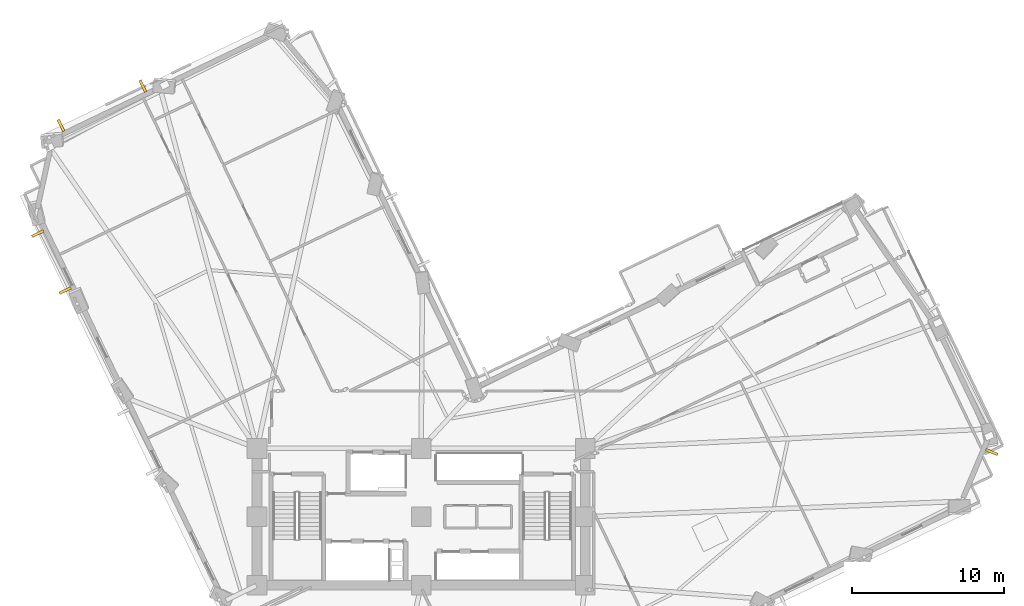
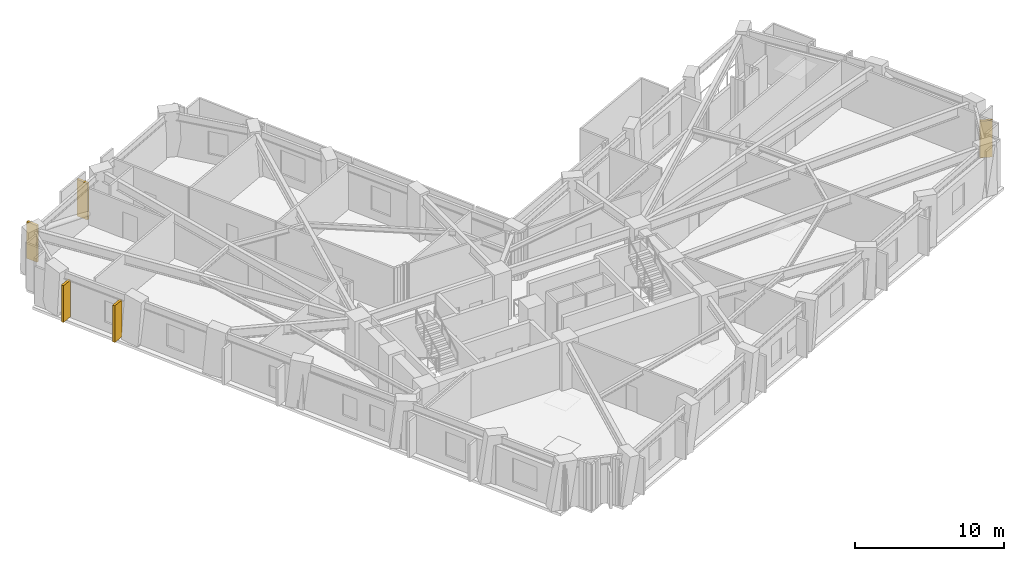
# One storey, part 14 of 16: 5 shading devices.
"""IFC4 building model written with IfcOpenShell, lengths in metres."""

from ifc_helpers import new_model, si_unit, direction, frame, origin, origin_2d, place, context, subcontext, project, spatial, rectangle, extrude, material, type_object, element, save


model = new_model("IFC4")

# Units and contexts
model_context = context("Model", 3, precision=1e-05, world=origin(), true_north=direction((0.0, 1.0)))
body_context = subcontext(model_context, "Body", "Model", "MODEL_VIEW")
ifc_project = project(units=[si_unit("LENGTHUNIT", "METRE"), si_unit("AREAUNIT", "SQUARE_METRE"), si_unit("VOLUMEUNIT", "CUBIC_METRE"), si_unit("PLANEANGLEUNIT", "RADIAN"), si_unit("MASSUNIT", "GRAM", prefix="KILO")], contexts=[model_context])

# Site, building, storey
site_placement = place(None, origin())
site = spatial("IfcSite", under=ifc_project, at=site_placement, CompositionType="ELEMENT")
building_placement = place(site_placement, origin())
building = spatial("IfcBuilding", under=site, at=building_placement, Name="Gaonmaruhae Medical Tower", CompositionType="ELEMENT")
storey_placement = place(building_placement, frame((0.0, 0.0, 132.39990234375)))
storey = spatial("IfcBuildingStorey", under=building, at=storey_placement, Name="L31", CompositionType="ELEMENT", Elevation=132.39990234375)

# Shading devices
ifc_material = material(Name="Pigmented coral precast concrete C45/55", Category="concrete")
shading_device_type = type_object("IfcShadingDeviceType", Name="SD-FIN1 Tower Vertical Coral Precast Shading Fin", PredefinedType="USERDEFINED", material=ifc_material)
for number, where, z_axis, x_axis, name in (
    (1, (62.346435546875, 16.56005859375, 0.08251953125), (0.0, 0.0, 1.0), (-0.38915610534, -0.921171822016, 0.0), "L31 Vertical Coral Precast Shading Fin S07"),
    (2, (1.10302734375, 38.05419921875, 0.08251953125), (0.0, 0.0, 1.0), (0.901455117112, 0.43287258152, 0.0), "L31 Vertical Coral Precast Shading Fin N02"),
    (3, (6.485107421875, 40.638427734375, 0.08251953125), (0.0, 0.0, 1.0), (0.901455117112, 0.43287258152, 0.0), "L31 Vertical Coral Precast Shading Fin N02B"),
    (4, (1.375732421875, 27.188232421875, 0.08251953125), (0.0, 0.0, 1.0), (-0.43287258152, 0.901455117112, 0.0), "L31 Vertical Coral Precast Shading Fin W01"),
    (5, (-0.423095703125, 30.934326171875, 0.08251953125), (0.0, 0.0, 1.0), (-0.43287258152, 0.901455117112, 0.0), "L31 Vertical Coral Precast Shading Fin W01B"),
):
    element("IfcShadingDevice", number, at=place(storey_placement, frame(where, z_axis=z_axis, x_axis=x_axis)), inside=storey, type_object=shading_device_type, Name=name, ObjectType="FIN", PredefinedType="USERDEFINED", context=body_context, shape_type="SweptSolid", body=[
        extrude(rectangle(XDim=0.179931640625, YDim=0.85009765625, at=origin_2d()), origin(), (0.0, 0.0, 1.0), 3.0),
    ])

save(model, "model.ifc")
